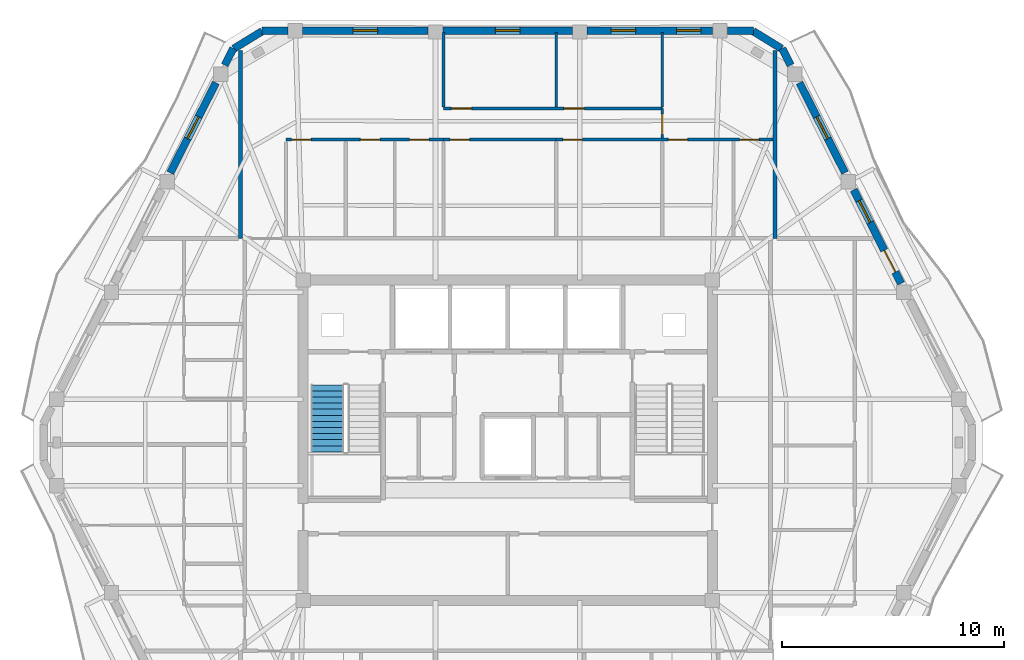
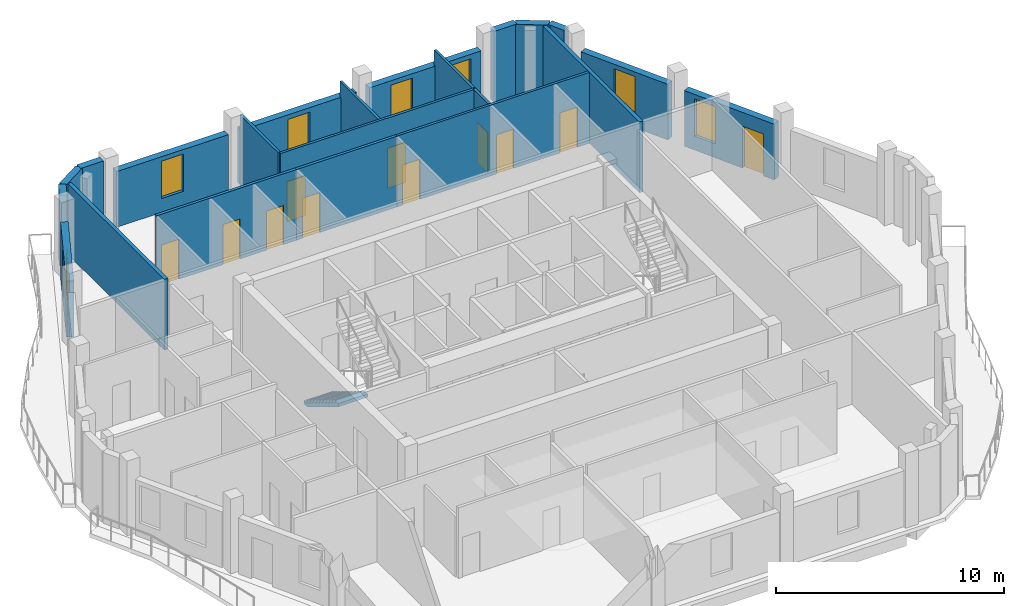
# One storey, part 7 of 11: 22 walls, 11 doors, 7 windows, 1 stair flight, 18 openings, 1 element without a shape of its own.
"""IFC4 building model written with IfcOpenShell, lengths in metres."""

import ifcopenshell
import ifcopenshell.guid

model = None  # the IFC model being written
_history = None  # IfcOwnerHistory: only IFC2X3 demands one
_inside = {}  # id of a spatial element -> (the spatial element, [elements in it])
_under = {}  # id of a project, library or spatial element -> (it, [spatial elements below it])
_declared = {}  # id of a project -> (the project, [libraries it declares])
_typed = {}  # id of a type object -> (the type object, [elements of that type])
_made_of = {}  # id of a material, layer set ... -> (it, [elements and type objects made of it])


def new_model(schema):
    """Start an empty IFC model of exactly this schema.

    Asked for "IFC4X3", IfcOpenShell would pick the latest addendum, in which some entities
    have other attributes; the version numbers below select the first issue.
    IFC2X3 requires an IfcOwnerHistory on every rooted entity: one is made here for all.
    """
    global model, _history
    if schema == "IFC4X3":
        model = ifcopenshell.file(schema_version=(4, 3, 0, 0))
    else:
        model = ifcopenshell.file(schema=schema)
    _inside.clear()
    _under.clear()
    _declared.clear()
    _typed.clear()
    _made_of.clear()
    _history = None
    if model.schema == "IFC2X3":
        org = make("IfcOrganization", Name="unknown")
        user = make(
            "IfcPersonAndOrganization",
            ThePerson=make("IfcPerson", FamilyName="unknown"),
            TheOrganization=org,
        )
        app = make(
            "IfcApplication",
            ApplicationDeveloper=org,
            Version="unknown",
            ApplicationFullName="unknown",
            ApplicationIdentifier="unknown",
        )
        _history = make(
            "IfcOwnerHistory",
            OwningUser=user,
            OwningApplication=app,
            ChangeAction="ADDED",
            CreationDate=0,
        )
    return model


def make(cls, **values):
    """One entity of the class cls with the attributes given. An attribute that is None is left unset."""
    return model.create_entity(
        cls, **{name: value for name, value in values.items() if value is not None}
    )


def rooted(cls, **values):
    """An entity with a GlobalId (a new one), such as an element, a storey or a relation."""
    return make(cls, GlobalId=ifcopenshell.guid.new(), OwnerHistory=_history, **values)


def si_unit(unit_type, name, prefix=None):
    """IfcSIUnit, for example si_unit("LENGTHUNIT", "METRE", prefix="MILLI")."""
    return make("IfcSIUnit", UnitType=unit_type, Prefix=prefix, Name=name)


def assignment(units):
    """IfcUnitAssignment: the units of a project."""
    return None if units is None else make("IfcUnitAssignment", Units=units)


def point(xyz):
    """IfcCartesianPoint."""
    return None if xyz is None else make("IfcCartesianPoint", Coordinates=xyz)


def direction(xyz):
    """IfcDirection."""
    return None if xyz is None else make("IfcDirection", DirectionRatios=xyz)


def frame(location, z_axis=None, x_axis=None):
    """IfcAxis2Placement3D, a coordinate frame: its origin and axes. An axis left out is left unset."""
    return make(
        "IfcAxis2Placement3D",
        Location=point(location),
        Axis=direction(z_axis),
        RefDirection=direction(x_axis),
    )


def frame_2d(location, x_axis=None):
    """IfcAxis2Placement2D, a coordinate frame in the plane: its origin and x axis."""
    return make(
        "IfcAxis2Placement2D", Location=point(location), RefDirection=direction(x_axis)
    )


def origin():
    """The frame at (0, 0, 0) with its axes left unset."""
    return frame((0.0, 0.0, 0.0))


def place(relative_to, where):
    """IfcLocalPlacement: puts the frame where relative to a parent placement (None: the world)."""
    return make(
        "IfcLocalPlacement", PlacementRelTo=relative_to, RelativePlacement=where
    )


def context(
    kind, dimensions, precision=None, world=None, true_north=None, identifier=None
):
    """IfcGeometricRepresentationContext, for example the 3D "Model" context."""
    return make(
        "IfcGeometricRepresentationContext",
        ContextIdentifier=identifier,
        ContextType=kind,
        CoordinateSpaceDimension=dimensions,
        Precision=precision,
        WorldCoordinateSystem=world,
        TrueNorth=true_north,
    )


def subcontext(parent, identifier, kind, view, scale=None):
    """IfcGeometricRepresentationSubContext, for example "Body" below "Model"."""
    return make(
        "IfcGeometricRepresentationSubContext",
        ContextIdentifier=identifier,
        ContextType=kind,
        ParentContext=parent,
        TargetScale=scale,
        TargetView=view,
    )


def project(units=None, contexts=None):
    """IfcProject with its units and contexts."""
    return rooted(
        "IfcProject",
        Name="project",
        RepresentationContexts=contexts,
        UnitsInContext=assignment(units),
    )


def spatial(cls, under=None, at=None, **own):
    """A site, building, storey or space (cls), placed at a placement, below another one or the project."""
    s = rooted(cls, ObjectPlacement=at, **own)
    if under is not None:
        _under.setdefault(under.id(), (under, []))[1].append(s)
    return s


def polyline(points):
    """IfcPolyline through the points."""
    return make("IfcPolyline", Points=[point(p) for p in points])


def profile(cls, at=None, kind="AREA", **sizes):
    """A parametric profile (cls). Its sizes go by their IFC names, for example OverallWidth=200.0."""
    return make(cls, ProfileType=kind, Position=at, **sizes)


def rectangle(**sizes):
    """IfcRectangleProfileDef."""
    return profile("IfcRectangleProfileDef", **sizes)


def outline(outer, holes=None, kind="AREA"):
    """IfcArbitraryClosedProfileDef: a profile drawn as a closed curve; with holes, ...WithVoids."""
    if holes is None:
        return make("IfcArbitraryClosedProfileDef", ProfileType=kind, OuterCurve=outer)
    return make(
        "IfcArbitraryProfileDefWithVoids",
        ProfileType=kind,
        OuterCurve=outer,
        InnerCurves=holes,
    )


def extrude(swept, where, along, depth):
    """IfcExtrudedAreaSolid: the profile swept, set in the frame where, extruded along a direction by depth."""
    return make(
        "IfcExtrudedAreaSolid",
        SweptArea=swept,
        Position=where,
        ExtrudedDirection=direction(along),
        Depth=depth,
    )


def shape(context_of_items, identifier, shape_type, items):
    """IfcShapeRepresentation: the items that make up one representation, for example the "Body"."""
    return make(
        "IfcShapeRepresentation",
        ContextOfItems=context_of_items,
        RepresentationIdentifier=identifier,
        RepresentationType=shape_type,
        Items=items,
    )


def material(Name=None, Category=None):
    """IfcMaterial."""
    return make("IfcMaterial", Name=Name, Category=Category)


def layer(
    of_material, thickness, ventilated=None, Name=None, Category=None, Priority=None
):
    """IfcMaterialLayer: one layer of a wall or slab, of a material (None: an air gap)."""
    return make(
        "IfcMaterialLayer",
        Material=of_material,
        LayerThickness=thickness,
        IsVentilated=ventilated,
        Name=Name,
        Category=Category,
        Priority=Priority,
    )


def layer_set(layers, Name=None):
    """IfcMaterialLayerSet."""
    return make("IfcMaterialLayerSet", MaterialLayers=layers, LayerSetName=Name)


def made_of(thing, what):
    """Note that an element or type object is made of a material, layer set ...; save() writes the relation."""
    if what is not None:
        _made_of.setdefault(what.id(), (what, []))[1].append(thing)
    return thing


def type_object(cls, material=None, **own):
    """A type object (cls), such as IfcWallType, which elements share."""
    return made_of(rooted(cls, **own), material)


def element(
    cls,
    number,
    at=None,
    inside=None,
    cuts=None,
    type_object=None,
    material=None,
    context=None,
    identifier="Body",
    shape_type=None,
    held_by="IfcProductDefinitionShape",
    body=None,
    shapes=None,
    **own,
):
    """One element of the class cls, such as IfcWall. Its Tag is "e" and its number.

    at: its placement. inside: the storey or other place that contains it. cuts: it is an
    opening in that element (IfcRelVoidsElement). A single representation is given by context,
    identifier, shape_type and body (its items); several are given by shapes. held_by: the class
    of the entity that holds the representations. save() writes the other relations.
    """
    e = rooted(cls, Tag="e%d" % number, ObjectPlacement=at, **own)
    if body is not None:
        shapes = [shape(context, identifier, shape_type, body)]
    if shapes is not None:
        e.Representation = make(held_by, Representations=shapes)
    if inside is not None:
        _inside.setdefault(inside.id(), (inside, []))[1].append(e)
    if cuts is not None:
        rooted(
            "IfcRelVoidsElement", RelatingBuildingElement=cuts, RelatedOpeningElement=e
        )
    if type_object is not None:
        _typed.setdefault(type_object.id(), (type_object, []))[1].append(e)
    return made_of(e, material)


def fill(opening, filler):
    """IfcRelFillsElement: the door or window that sits in an opening."""
    return rooted(
        "IfcRelFillsElement",
        RelatingOpeningElement=opening,
        RelatedBuildingElement=filler,
    )


def aggregate(whole, parts):
    """IfcRelAggregates: a whole, such as a stair, and the parts it consists of."""
    return rooted("IfcRelAggregates", RelatingObject=whole, RelatedObjects=parts)


def save(model, path):
    """Write the relations noted so far, then the file.

    IfcRelAggregates (storeys below a building ...), IfcRelContainedInSpatialStructure (elements
    in a storey), IfcRelDefinesByType, IfcRelAssociatesMaterial and IfcRelDeclares: one each for
    every whole, place, type object, material and project.
    """
    for whole, parts in _under.values():
        aggregate(whole, parts)
    for where, things in _inside.values():
        rooted(
            "IfcRelContainedInSpatialStructure",
            RelatedElements=things,
            RelatingStructure=where,
        )
    for kind, things in _typed.values():
        rooted("IfcRelDefinesByType", RelatedObjects=things, RelatingType=kind)
    for what, things in _made_of.values():
        rooted("IfcRelAssociatesMaterial", RelatedObjects=things, RelatingMaterial=what)
    for by, libraries in _declared.values():
        rooted("IfcRelDeclares", RelatingContext=by, RelatedDefinitions=libraries)
    model.write(path)


model = new_model("IFC4")

# Units and contexts
model_context = context("Model", 3, precision=1e-05, world=origin(), true_north=direction((0.0, 1.0)))
body_context = subcontext(model_context, "Body", "Model", "MODEL_VIEW")
ifc_project = project(units=[si_unit("LENGTHUNIT", "METRE"), si_unit("AREAUNIT", "SQUARE_METRE"), si_unit("VOLUMEUNIT", "CUBIC_METRE"), si_unit("PLANEANGLEUNIT", "RADIAN"), si_unit("MASSUNIT", "GRAM", prefix="KILO")], contexts=[model_context])

# Site, building, storey
site_placement = place(None, origin())
site = spatial("IfcSite", under=ifc_project, at=site_placement, CompositionType="ELEMENT")
building_placement = place(site_placement, origin())
building = spatial("IfcBuilding", under=site, at=building_placement, Name="Cinnabar Lancet Tower", CompositionType="ELEMENT")
storey_placement = place(building_placement, frame((0.0, 0.0, 283.5)))
storey = spatial("IfcBuildingStorey", under=building, at=storey_placement, Name="L75", CompositionType="ELEMENT", Elevation=283.5)

# Walls
ifc_material_1 = material(Name="Fire-rated twin-frame acoustic drywall", Category="gypsum")
ifc_layer_1 = layer(ifc_material_1, 0.179931640625)
ifc_layer_set_1 = layer_set([ifc_layer_1], Name="Fire-rated twin-frame acoustic drywall")
wall_type_1 = type_object("IfcWallType", Name="ARC-WL-PARTY-180", PredefinedType="PARTITIONING", material=ifc_layer_set_1)
for number, where, z_axis, x_axis, name in (
    (1, (20.35009765625, 35.0, 0.0), (0.0, 0.0, 1.0), (0.0, 1.0, 0.0), "PW-L75-NPTY-204"),
    (2, (44.449951171875, 35.0, 0.0), (0.0, 0.0, 1.0), (0.0, 1.0, 0.0), "PW-L75-NPTY-444"),
):
    element("IfcWall", number, at=place(storey_placement, frame(where, z_axis=z_axis, x_axis=x_axis)), inside=storey, type_object=wall_type_1, Name=name, PredefinedType="PARTITIONING", context=body_context, shape_type="SweptSolid", body=[
        extrude(rectangle(XDim=8.48095703125, YDim=0.179931640625, at=frame_2d((4.240478515625, 0.0))), origin(), (0.0, 0.0, 1.0), 3.800048828125),
    ])

# Wall, openings, doors
ifc_material_2 = material(Name="Gypsum plasterboard stud partition", Category="gypsum")
ifc_layer_2 = layer(ifc_material_2, 0.125)
ifc_layer_set_2 = layer_set([ifc_layer_2], Name="Gypsum plasterboard stud partition")
wall_type_2 = type_object("IfcWallType", Name="ARC-WL-UNIT-125", PredefinedType="PARTITIONING", material=ifc_layer_set_2)
wall_1_placement = place(storey_placement, frame((34.587890625, 39.4580078125, 0.0), z_axis=(0.0, 0.0, 1.0), x_axis=(1.0, 0.0, 0.0)))
wall_1 = element("IfcWall", 3, at=wall_1_placement, inside=storey, type_object=wall_type_2, Name="UW-L75-N01-SP2", PredefinedType="PARTITIONING", context=body_context, shape_type="SweptSolid", body=[
    extrude(rectangle(XDim=9.76708984375, YDim=0.125, at=frame_2d((4.883544921875, 0.0))), origin(), (0.0, 0.0, 1.0), 3.800048828125),
])
opening_1_placement = place(wall_1_placement, frame((5.06201171875, 0.0, 0.0)))
opening_1 = element("IfcOpeningElement", 4, at=opening_1_placement, cuts=wall_1, Name="Opening BD-01", PredefinedType="OPENING", context=body_context, shape_type="SweptSolid", body=[
    extrude(rectangle(XDim=0.860107421875, YDim=2.10009765625, at=frame_2d((0.43017578125, 1.050048828125))), frame((0.0, 0.072509765625, 0.0), z_axis=(0.0, -1.0, 0.0), x_axis=(1.0, 0.0, 0.0)), (0.0, 0.0, 1.0), 0.14501953125),
])
opening_2_placement = place(wall_1_placement, frame((8.27294921875, 0.0, 0.0)))
opening_2 = element("IfcOpeningElement", 5, at=opening_2_placement, cuts=wall_1, Name="Opening RD-02", PredefinedType="OPENING", context=body_context, shape_type="SweptSolid", body=[
    extrude(rectangle(XDim=0.8798828125, YDim=2.14990234375, at=frame_2d((0.43994140625, 1.074951171875))), frame((0.0, 0.072509765625, 0.0), z_axis=(0.0, -1.0, 0.0), x_axis=(1.0, 0.0, 0.0)), (0.0, 0.0, 1.0), 0.14501953125),
])
opening_3_placement = place(wall_1_placement, frame((0.300048828125, 0.0, 0.0)))
opening_3 = element("IfcOpeningElement", 6, at=opening_3_placement, cuts=wall_1, Name="Opening RD-02", PredefinedType="OPENING", context=body_context, shape_type="SweptSolid", body=[
    extrude(rectangle(XDim=0.8798828125, YDim=2.14990234375, at=frame_2d((0.43994140625, 1.074951171875))), frame((0.0, 0.072509765625, 0.0), z_axis=(0.0, -1.0, 0.0), x_axis=(1.0, 0.0, 0.0)), (0.0, 0.0, 1.0), 0.14501953125),
])
ifc_material_3 = material(Name="Moisture-resistant timber bathroom door", Category="wood")
door_type_1 = type_object("IfcDoorType", Name="ARC-DR-BATH", OperationType="NOTDEFINED", PredefinedType="DOOR", material=ifc_material_3)
door_1_placement = place(opening_1_placement, origin())
door_1 = element("IfcDoor", 7, at=door_1_placement, inside=storey, type_object=door_type_1, Name="DR-L75-N01-ENS", OperationType="SINGLE_SWING_LEFT", OverallHeight=2.10009765625, OverallWidth=0.860107421875, PredefinedType="DOOR", context=body_context, shape_type="SweptSolid", body=[
    extrude(rectangle(XDim=0.860107421875, YDim=2.10009765625, at=frame_2d((0.43017578125, 1.050048828125))), frame((0.0, 0.02490234375, 0.0), z_axis=(0.0, -1.0, 0.0), x_axis=(1.0, 0.0, 0.0)), (0.0, 0.0, 1.0), 0.050048828125),
])
fill(opening_1, door_1)
ifc_material_4 = material(Name="Engineered timber study door", Category="wood")
door_type_2 = type_object("IfcDoorType", Name="ARC-DR-STUDY", OperationType="NOTDEFINED", PredefinedType="DOOR", material=ifc_material_4)
door_2_placement = place(opening_2_placement, origin())
door_2 = element("IfcDoor", 8, at=door_2_placement, inside=storey, type_object=door_type_2, Name="DR-L75-N01-ENS-WDR", OperationType="SINGLE_SWING_RIGHT", OverallHeight=2.14990234375, OverallWidth=0.8798828125, PredefinedType="DOOR", context=body_context, shape_type="SweptSolid", body=[
    extrude(rectangle(XDim=0.8798828125, YDim=2.14990234375, at=frame_2d((0.43994140625, 1.074951171875))), frame((0.0, 0.02490234375, 0.0), z_axis=(0.0, -1.0, 0.0), x_axis=(1.0, 0.0, 0.0)), (0.0, 0.0, 1.0), 0.050048828125),
])
fill(opening_2, door_2)
door_3_placement = place(opening_3_placement, origin())
door_3 = element("IfcDoor", 9, at=door_3_placement, inside=storey, type_object=door_type_2, Name="DR-L75-N01-DRS", OperationType="SINGLE_SWING_RIGHT", OverallHeight=2.14990234375, OverallWidth=0.8798828125, PredefinedType="DOOR", context=body_context, shape_type="SweptSolid", body=[
    extrude(rectangle(XDim=0.8798828125, YDim=2.14990234375, at=frame_2d((0.43994140625, 1.074951171875))), frame((0.0, 0.02490234375, 0.0), z_axis=(0.0, -1.0, 0.0), x_axis=(1.0, 0.0, 0.0)), (0.0, 0.0, 1.0), 0.050048828125),
])
fill(opening_3, door_3)

# Wall
wall_2_placement = place(storey_placement, frame((29.508056640625, 40.923095703125, 0.0), z_axis=(0.0, 0.0, 1.0), x_axis=(0.0, 1.0, 0.0)))
element("IfcWall", 10, at=wall_2_placement, inside=storey, type_object=wall_type_2, Name="UW-L75-N01-BD2W", PredefinedType="PARTITIONING", context=body_context, shape_type="SweptSolid", body=[
    extrude(rectangle(XDim=3.36181640625, YDim=0.125, at=frame_2d((1.680908203125, 0.0))), origin(), (0.0, 0.0, 1.0), 3.800048828125),
])

# Wall, openings, doors
wall_3_placement = place(storey_placement, frame((29.508056640625, 40.85791015625, 0.0), z_axis=(0.0, 0.0, 1.0), x_axis=(1.0, 0.0, 0.0)))
wall_3 = element("IfcWall", 11, at=wall_3_placement, inside=storey, type_object=wall_type_2, Name="UW-L75-N01-HLN", PredefinedType="PARTITIONING", context=body_context, shape_type="SweptSolid", body=[
    extrude(rectangle(XDim=9.862060546875, YDim=0.125, at=frame_2d((4.93115234375, 0.0))), origin(), (0.0, 0.0, 1.0), 3.800048828125),
])
opening_4_placement = place(wall_3_placement, frame((0.35009765625, 0.0, 0.0)))
opening_4 = element("IfcOpeningElement", 12, at=opening_4_placement, cuts=wall_3, Name="Opening RD-01", PredefinedType="OPENING", context=body_context, shape_type="SweptSolid", body=[
    extrude(rectangle(XDim=0.919921875, YDim=2.14990234375, at=frame_2d((0.4599609375, 1.074951171875))), frame((0.0, 0.072509765625, 0.0), z_axis=(0.0, -1.0, 0.0), x_axis=(1.0, 0.0, 0.0)), (0.0, 0.0, 1.0), 0.14501953125),
])
opening_5_placement = place(wall_3_placement, frame((5.429931640625, 0.0, 0.0)))
opening_5 = element("IfcOpeningElement", 13, at=opening_5_placement, cuts=wall_3, Name="Opening RD-01", PredefinedType="OPENING", context=body_context, shape_type="SweptSolid", body=[
    extrude(rectangle(XDim=0.919921875, YDim=2.14990234375, at=frame_2d((0.4599609375, 1.074951171875))), frame((0.0, 0.072509765625, 0.0), z_axis=(0.0, -1.0, 0.0), x_axis=(1.0, 0.0, 0.0)), (0.0, 0.0, 1.0), 0.14501953125),
])
ifc_material_5 = material(Name="Engineered timber bedroom door", Category="wood")
door_type_3 = type_object("IfcDoorType", Name="ARC-DR-ROOM", OperationType="NOTDEFINED", PredefinedType="DOOR", material=ifc_material_5)
door_4_placement = place(opening_4_placement, origin())
door_4 = element("IfcDoor", 14, at=door_4_placement, inside=storey, type_object=door_type_3, Name="DR-L75-N01-BD2", OperationType="SINGLE_SWING_LEFT", OverallHeight=2.14990234375, OverallWidth=0.919921875, PredefinedType="DOOR", context=body_context, shape_type="SweptSolid", body=[
    extrude(rectangle(XDim=0.919921875, YDim=2.14990234375, at=frame_2d((0.4599609375, 1.074951171875))), frame((0.0, 0.02490234375, 0.0), z_axis=(0.0, -1.0, 0.0), x_axis=(1.0, 0.0, 0.0)), (0.0, 0.0, 1.0), 0.050048828125),
])
fill(opening_4, door_4)
door_5_placement = place(opening_5_placement, origin())
door_5 = element("IfcDoor", 15, at=door_5_placement, inside=storey, type_object=door_type_3, Name="DR-L75-N01-BD3", OperationType="SINGLE_SWING_RIGHT", OverallHeight=2.14990234375, OverallWidth=0.919921875, PredefinedType="DOOR", context=body_context, shape_type="SweptSolid", body=[
    extrude(rectangle(XDim=0.919921875, YDim=2.14990234375, at=frame_2d((0.4599609375, 1.074951171875))), frame((0.0, 0.02490234375, 0.0), z_axis=(0.0, -1.0, 0.0), x_axis=(1.0, 0.0, 0.0)), (0.0, 0.0, 1.0), 0.050048828125),
])
fill(opening_5, door_5)

# Wall, opening, door
wall_4_placement = place(storey_placement, frame((39.3701171875, 39.528076171875, 0.0), z_axis=(0.0, 0.0, 1.0), x_axis=(0.0, 1.0, 0.0)))
wall_4 = element("IfcWall", 16, at=wall_4_placement, inside=storey, type_object=wall_type_2, Name="UW-L75-N01-MBE", PredefinedType="PARTITIONING", context=body_context, shape_type="SweptSolid", body=[
    extrude(rectangle(XDim=1.329833984375, YDim=0.125, at=frame_2d((0.6650390625, 0.0))), origin(), (0.0, 0.0, 1.0), 3.800048828125),
])
opening_6_placement = place(wall_4_placement, frame((0.159912109375, 0.0, 0.0)))
opening_6 = element("IfcOpeningElement", 17, at=opening_6_placement, cuts=wall_4, Name="Opening RD-01", PredefinedType="OPENING", context=body_context, shape_type="SweptSolid", body=[
    extrude(rectangle(XDim=0.919921875, YDim=2.14990234375, at=frame_2d((0.4599609375, 1.074951171875))), frame((0.0, 0.072509765625, 0.0), z_axis=(0.0, -1.0, 0.0), x_axis=(1.0, 0.0, 0.0)), (0.0, 0.0, 1.0), 0.14501953125),
])
door_6_placement = place(opening_6_placement, origin())
door_6 = element("IfcDoor", 18, at=door_6_placement, inside=storey, type_object=door_type_3, Name="DR-L75-N01-MBD", OperationType="SINGLE_SWING_LEFT", OverallHeight=2.14990234375, OverallWidth=0.919921875, PredefinedType="DOOR", context=body_context, shape_type="SweptSolid", body=[
    extrude(rectangle(XDim=0.919921875, YDim=2.14990234375, at=frame_2d((0.4599609375, 1.074951171875))), frame((0.0, 0.02490234375, 0.0), z_axis=(0.0, -1.0, 0.0), x_axis=(1.0, 0.0, 0.0)), (0.0, 0.0, 1.0), 0.050048828125),
])
fill(opening_6, door_6)

# Walls
for number, where, z_axis, x_axis, name in (
    (19, (34.587890625, 40.923095703125, 0.0), (0.0, 0.0, 1.0), (0.0, 1.0, 0.0), "UW-L75-N01-MB2W"),
    (20, (39.3701171875, 40.923095703125, 0.0), (0.0, 0.0, 1.0), (0.0, 1.0, 0.0), "UW-L75-N01-B23W"),
):
    element("IfcWall", number, at=place(storey_placement, frame(where, z_axis=z_axis, x_axis=x_axis)), inside=storey, type_object=wall_type_2, Name=name, PredefinedType="PARTITIONING", context=body_context, shape_type="SweptSolid", body=[
        extrude(rectangle(XDim=3.36181640625, YDim=0.125, at=frame_2d((1.680908203125, 0.0))), origin(), (0.0, 0.0, 1.0), 3.800048828125),
    ])

# Wall, openings, doors
ifc_material_6 = material(Name="Moisture-resistant cement-board plumbing wall", Category="masonry")
ifc_layer_3 = layer(ifc_material_6, 0.139892578125)
ifc_layer_set_3 = layer_set([ifc_layer_3], Name="Moisture-resistant cement-board plumbing wall")
wall_type_3 = type_object("IfcWallType", Name="ARC-WL-WET-140", PredefinedType="PLUMBINGWALL", material=ifc_layer_set_3)
wall_5_placement = place(storey_placement, frame((22.39990234375, 39.4580078125, 0.0), z_axis=(0.0, 0.0, 1.0), x_axis=(1.0, 0.0, 0.0)))
wall_5 = element("IfcWall", 21, at=wall_5_placement, inside=storey, type_object=wall_type_3, Name="UW-L75-N01-SPL", PredefinedType="PLUMBINGWALL", context=body_context, shape_type="SweptSolid", body=[
    extrude(rectangle(XDim=7.108154296875, YDim=0.139892578125, at=frame_2d((3.55419921875, 0.0))), origin(), (0.0, 0.0, 1.0), 3.800048828125),
])
opening_7_placement = place(wall_5_placement, frame((5.58203125, 0.0, 0.0)))
opening_7 = element("IfcOpeningElement", 22, at=opening_7_placement, cuts=wall_5, Name="Opening BD-01", PredefinedType="OPENING", context=body_context, shape_type="SweptSolid", body=[
    extrude(rectangle(XDim=0.860107421875, YDim=2.10009765625, at=frame_2d((0.43017578125, 1.050048828125))), frame((0.0, 0.079833984375, 0.0), z_axis=(0.0, -1.0, 0.0), x_axis=(1.0, 0.0, 0.0)), (0.0, 0.0, 1.0), 0.159912109375),
])
opening_8_placement = place(wall_5_placement, frame((0.260009765625, 0.0, 0.0)))
opening_8 = element("IfcOpeningElement", 23, at=opening_8_placement, cuts=wall_5, Name="Opening RD-02", PredefinedType="OPENING", context=body_context, shape_type="SweptSolid", body=[
    extrude(rectangle(XDim=0.8798828125, YDim=2.14990234375, at=frame_2d((0.43994140625, 1.074951171875))), frame((0.0, 0.079833984375, 0.0), z_axis=(0.0, -1.0, 0.0), x_axis=(1.0, 0.0, 0.0)), (0.0, 0.0, 1.0), 0.159912109375),
])
opening_9_placement = place(wall_5_placement, frame((3.363037109375, 0.0, 0.0)))
opening_9 = element("IfcOpeningElement", 24, at=opening_9_placement, cuts=wall_5, Name="Opening RD-02", PredefinedType="OPENING", context=body_context, shape_type="SweptSolid", body=[
    extrude(rectangle(XDim=0.8798828125, YDim=2.14990234375, at=frame_2d((0.43994140625, 1.074951171875))), frame((0.0, 0.079833984375, 0.0), z_axis=(0.0, -1.0, 0.0), x_axis=(1.0, 0.0, 0.0)), (0.0, 0.0, 1.0), 0.159912109375),
])
door_7_placement = place(opening_7_placement, origin())
door_7 = element("IfcDoor", 25, at=door_7_placement, inside=storey, type_object=door_type_1, Name="DR-L75-N01-BTH", OperationType="SINGLE_SWING_LEFT", OverallHeight=2.10009765625, OverallWidth=0.860107421875, PredefinedType="DOOR", context=body_context, shape_type="SweptSolid", body=[
    extrude(rectangle(XDim=0.860107421875, YDim=2.10009765625, at=frame_2d((0.43017578125, 1.050048828125))), frame((0.0, 0.02490234375, 0.0), z_axis=(0.0, -1.0, 0.0), x_axis=(1.0, 0.0, 0.0)), (0.0, 0.0, 1.0), 0.050048828125),
])
fill(opening_7, door_7)
door_8_placement = place(opening_8_placement, origin())
door_8 = element("IfcDoor", 26, at=door_8_placement, inside=storey, type_object=door_type_2, Name="DR-L75-N01-KIT", OperationType="SINGLE_SWING_LEFT", OverallHeight=2.14990234375, OverallWidth=0.8798828125, PredefinedType="DOOR", context=body_context, shape_type="SweptSolid", body=[
    extrude(rectangle(XDim=0.8798828125, YDim=2.14990234375, at=frame_2d((0.43994140625, 1.074951171875))), frame((0.0, 0.02490234375, 0.0), z_axis=(0.0, -1.0, 0.0), x_axis=(1.0, 0.0, 0.0)), (0.0, 0.0, 1.0), 0.050048828125),
])
fill(opening_8, door_8)
door_9_placement = place(opening_9_placement, origin())
door_9 = element("IfcDoor", 27, at=door_9_placement, inside=storey, type_object=door_type_2, Name="DR-L75-N01-STD", OperationType="SINGLE_SWING_RIGHT", OverallHeight=2.14990234375, OverallWidth=0.8798828125, PredefinedType="DOOR", context=body_context, shape_type="SweptSolid", body=[
    extrude(rectangle(XDim=0.8798828125, YDim=2.14990234375, at=frame_2d((0.43994140625, 1.074951171875))), frame((0.0, 0.02490234375, 0.0), z_axis=(0.0, -1.0, 0.0), x_axis=(1.0, 0.0, 0.0)), (0.0, 0.0, 1.0), 0.050048828125),
])
fill(opening_9, door_9)

# Wall, opening, door
wall_6_placement = place(storey_placement, frame((29.508056640625, 39.4580078125, 0.0), z_axis=(0.0, 0.0, 1.0), x_axis=(1.0, 0.0, 0.0)))
wall_6 = element("IfcWall", 28, at=wall_6_placement, inside=storey, type_object=wall_type_3, Name="UW-L75-N01-SPM", PredefinedType="PLUMBINGWALL", context=body_context, shape_type="SweptSolid", body=[
    extrude(rectangle(XDim=5.079833984375, YDim=0.139892578125, at=frame_2d((2.5400390625, 0.0))), origin(), (0.0, 0.0, 1.0), 3.800048828125),
])
opening_10_placement = place(wall_6_placement, frame((0.300048828125, 0.0, 0.0)))
opening_10 = element("IfcOpeningElement", 29, at=opening_10_placement, cuts=wall_6, Name="Opening RD-02", PredefinedType="OPENING", context=body_context, shape_type="SweptSolid", body=[
    extrude(rectangle(XDim=0.8798828125, YDim=2.14990234375, at=frame_2d((0.43994140625, 1.074951171875))), frame((0.0, 0.079833984375, 0.0), z_axis=(0.0, -1.0, 0.0), x_axis=(1.0, 0.0, 0.0)), (0.0, 0.0, 1.0), 0.159912109375),
])
door_10_placement = place(opening_10_placement, origin())
door_10 = element("IfcDoor", 30, at=door_10_placement, inside=storey, type_object=door_type_2, Name="DR-L75-N01-UTL", OperationType="SINGLE_SWING_RIGHT", OverallHeight=2.14990234375, OverallWidth=0.8798828125, PredefinedType="DOOR", context=body_context, shape_type="SweptSolid", body=[
    extrude(rectangle(XDim=0.8798828125, YDim=2.14990234375, at=frame_2d((0.43994140625, 1.074951171875))), frame((0.0, 0.02490234375, 0.0), z_axis=(0.0, -1.0, 0.0), x_axis=(1.0, 0.0, 0.0)), (0.0, 0.0, 1.0), 0.050048828125),
])
fill(opening_10, door_10)

# Walls
ifc_material_7 = material(Name="Cinnabar red clay brick", Category="masonry")
ifc_layer_4 = layer(ifc_material_7, 0.340087890625)
ifc_layer_set_4 = layer_set([ifc_layer_4], Name="Cinnabar red clay brick")
wall_type_4 = type_object("IfcWallType", Name="ENV-WL-BRK-RED-340", PredefinedType="STANDARD", material=ifc_layer_set_4)
for number, where, z_axis, x_axis, name in (
    (31, (44.7529296875, 43.554931640625, 0.0), (0.0, 0.0, 1.0), (-0.851680557619, 0.52406128246, 0.0), "L75 Chamfered Corner Brick Pier 4.1"),
    (32, (21.3310546875, 44.344970703125, 0.0), (0.0, 0.0, 1.0), (-0.851680557619, -0.52406128246, 0.0), "L75 Chamfered Corner Brick Pier 5.1"),
):
    element("IfcWall", number, at=place(storey_placement, frame(where, z_axis=z_axis, x_axis=x_axis)), inside=storey, type_object=wall_type_4, Name=name, PredefinedType="STANDARD", context=body_context, shape_type="SweptSolid", body=[
        extrude(rectangle(XDim=1.507568359375, YDim=0.340087890625, at=frame_2d((0.75390625, 0.0))), origin(), (0.0, 0.0, 1.0), 3.800048828125),
    ])

# Wall, openings, door, window
wall_7_placement = place(storey_placement, frame((50.134033203125, 32.972900390625, 0.0), z_axis=(0.0, 0.0, 1.0), x_axis=(-0.451447516904, 0.892297674255, 0.0)))
wall_7 = element("IfcWall", 33, at=wall_7_placement, inside=storey, type_object=wall_type_4, Name="L75 Face 3 Masonry Bay Wall 3", PredefinedType="STANDARD", context=body_context, shape_type="SweptSolid", body=[
    extrude(rectangle(XDim=4.72265625, YDim=0.340087890625, at=frame_2d((2.361328125, 0.0))), origin(), (0.0, 0.0, 1.0), 2.989990234375),
])
opening_11_placement = place(wall_7_placement, frame((0.570068359375, 0.0, 0.0)))
opening_11 = element("IfcOpeningElement", 34, at=opening_11_placement, cuts=wall_7, Name="Opening TD-01", PredefinedType="OPENING", context=body_context, shape_type="SweptSolid", body=[
    extrude(rectangle(XDim=1.10009765625, YDim=2.25, at=frame_2d((0.550048828125, 1.125))), frame((0.0, 0.179931640625, 0.0), z_axis=(0.0, -1.0, 0.0), x_axis=(1.0, 0.0, 0.0)), (0.0, 0.0, 1.0), 0.360107421875),
])
opening_12_placement = place(wall_7_placement, frame((3.076904296875, 0.0, 0.75)))
opening_12 = element("IfcOpeningElement", 35, at=opening_12_placement, cuts=wall_7, Name="Opening WN-04", PredefinedType="OPENING", context=body_context, shape_type="SweptSolid", body=[
    extrude(rectangle(XDim=1.10009765625, YDim=2.0, at=frame_2d((0.550048828125, 1.0))), frame((0.0, 0.179931640625, 0.0), z_axis=(0.0, -1.0, 0.0), x_axis=(1.0, 0.0, 0.0)), (0.0, 0.0, 1.0), 0.360107421875),
])
ifc_material_8 = material(Name="Thermally broken low-E glazed balcony terrace door", Category="wood")
door_type_4 = type_object("IfcDoorType", Name="ARC-DR-BALC", OperationType="NOTDEFINED", PredefinedType="DOOR", material=ifc_material_8)
door_11_placement = place(opening_11_placement, origin())
door_11 = element("IfcDoor", 36, at=door_11_placement, inside=storey, type_object=door_type_4, Name="L75 Face 3 Glazed Terrace Door", OperationType="SINGLE_SWING_RIGHT", OverallHeight=2.25, OverallWidth=1.10009765625, PredefinedType="DOOR", context=body_context, shape_type="SweptSolid", body=[
    extrude(rectangle(XDim=1.10009765625, YDim=2.25, at=frame_2d((0.550048828125, 1.125))), frame((0.0, 0.02490234375, 0.0), z_axis=(0.0, -1.0, 0.0), x_axis=(1.0, 0.0, 0.0)), (0.0, 0.0, 1.0), 0.050048828125),
])
fill(opening_11, door_11)
ifc_material_9 = material(Name="Thermally broken bronze-anodized aluminium tall lancet window", Category="aluminium")
window_type = type_object("IfcWindowType", Name="ENV-WN-LANCET-1100", PartitioningType="SINGLE_PANEL", PredefinedType="WINDOW", material=ifc_material_9)
window_1_placement = place(opening_12_placement, origin())
window_1 = element("IfcWindow", 37, at=window_1_placement, inside=storey, type_object=window_type, Name="L75 Split-Bay Gothic Lancet Window 278", OverallHeight=2.0, OverallWidth=1.10009765625, PartitioningType="SINGLE_PANEL", PredefinedType="WINDOW", context=body_context, shape_type="SweptSolid", body=[
    extrude(rectangle(XDim=1.10009765625, YDim=2.0, at=frame_2d((0.550048828125, 1.0))), frame((0.0, 0.030029296875, 0.0), z_axis=(0.0, -1.0, 0.0), x_axis=(1.0, 0.0, 0.0)), (0.0, 0.0, 1.0), 0.06005859375),
])
fill(opening_12, window_1)

# Wall, opening, window
wall_8_placement = place(storey_placement, frame((47.612060546875, 37.9599609375, 0.0), z_axis=(0.0, 0.0, 1.0), x_axis=(-0.45154039276, 0.892250678737, 0.0)))
wall_8 = element("IfcWall", 38, at=wall_8_placement, inside=storey, type_object=wall_type_4, Name="L75 Face 3 Masonry Bay Wall 4", PredefinedType="STANDARD", context=body_context, shape_type="SweptSolid", body=[
    extrude(rectangle(XDim=4.5537109375, YDim=0.340087890625, at=frame_2d((2.27685546875, 0.0))), origin(), (0.0, 0.0, 1.0), 2.989990234375),
])
opening_13_placement = place(wall_8_placement, frame((1.72705078125, 0.0, 0.75)))
opening_13 = element("IfcOpeningElement", 39, at=opening_13_placement, cuts=wall_8, Name="Opening WN-04", PredefinedType="OPENING", context=body_context, shape_type="SweptSolid", body=[
    extrude(rectangle(XDim=1.10009765625, YDim=2.0, at=frame_2d((0.550048828125, 1.0))), frame((0.0, 0.179931640625, 0.0), z_axis=(0.0, -1.0, 0.0), x_axis=(1.0, 0.0, 0.0)), (0.0, 0.0, 1.0), 0.360107421875),
])
window_2_placement = place(opening_13_placement, origin())
window_2 = element("IfcWindow", 40, at=window_2_placement, inside=storey, type_object=window_type, Name="L75 Face 3 Gothic Lancet Window 4", OverallHeight=2.0, OverallWidth=1.10009765625, PartitioningType="SINGLE_PANEL", PredefinedType="WINDOW", context=body_context, shape_type="SweptSolid", body=[
    extrude(rectangle(XDim=1.10009765625, YDim=2.0, at=frame_2d((0.550048828125, 1.0))), frame((0.0, 0.030029296875, 0.0), z_axis=(0.0, -1.0, 0.0), x_axis=(1.0, 0.0, 0.0)), (0.0, 0.0, 1.0), 0.06005859375),
])
fill(opening_13, window_2)

# Walls
wall_9_placement = place(storey_placement, frame((45.157958984375, 42.81103515625, 0.0), z_axis=(0.0, 0.0, 1.0), x_axis=(-0.451907025977, 0.8920650424, 0.0)))
element("IfcWall", 41, at=wall_9_placement, inside=storey, type_object=wall_type_4, Name="L75 Face 3 Masonry Bay Wall 5", PredefinedType="STANDARD", context=body_context, shape_type="SweptSolid", body=[
    extrude(rectangle(XDim=0.85205078125, YDim=0.340087890625, at=frame_2d((0.426025390625, 0.0))), origin(), (0.0, 0.0, 1.0), 3.800048828125),
])
wall_10_placement = place(storey_placement, frame((43.47412109375, 44.3701171875, 0.0), z_axis=(0.0, 0.0, 1.0), x_axis=(-1.0, 0.0, 0.0)))
element("IfcWall", 42, at=wall_10_placement, inside=storey, type_object=wall_type_4, Name="L75 Face 4 Masonry Bay Wall 1", PredefinedType="STANDARD", context=body_context, shape_type="SweptSolid", body=[
    extrude(rectangle(XDim=1.173095703125, YDim=0.340087890625, at=frame_2d((0.58642578125, 0.0))), origin(), (0.0, 0.0, 1.0), 3.800048828125),
])

# Wall, openings, windows
wall_11_placement = place(storey_placement, frame((41.64306640625, 44.3701171875, 0.0), z_axis=(0.0, 0.0, 1.0), x_axis=(-1.0, 0.0, 0.0)))
wall_11 = element("IfcWall", 43, at=wall_11_placement, inside=storey, type_object=wall_type_4, Name="L75 Face 4 Masonry Bay Wall 2", PredefinedType="STANDARD", context=body_context, shape_type="SweptSolid", body=[
    extrude(rectangle(XDim=5.66015625, YDim=0.340087890625, at=frame_2d((2.830078125, 0.0))), origin(), (0.0, 0.0, 1.0), 2.989990234375),
])
opening_14_placement = place(wall_11_placement, frame((0.530029296875, 0.0, 0.75)))
opening_14 = element("IfcOpeningElement", 44, at=opening_14_placement, cuts=wall_11, Name="Opening WN-04", PredefinedType="OPENING", context=body_context, shape_type="SweptSolid", body=[
    extrude(rectangle(XDim=1.10009765625, YDim=2.0, at=frame_2d((0.550048828125, 1.0))), frame((0.0, 0.179931640625, 0.0), z_axis=(0.0, -1.0, 0.0), x_axis=(1.0, 0.0, 0.0)), (0.0, 0.0, 1.0), 0.360107421875),
])
opening_15_placement = place(wall_11_placement, frame((3.472900390625, 0.0, 0.75)))
opening_15 = element("IfcOpeningElement", 45, at=opening_15_placement, cuts=wall_11, Name="Opening WN-04", PredefinedType="OPENING", context=body_context, shape_type="SweptSolid", body=[
    extrude(rectangle(XDim=1.10009765625, YDim=2.0, at=frame_2d((0.550048828125, 1.0))), frame((0.0, 0.179931640625, 0.0), z_axis=(0.0, -1.0, 0.0), x_axis=(1.0, 0.0, 0.0)), (0.0, 0.0, 1.0), 0.360107421875),
])
window_3_placement = place(opening_14_placement, origin())
window_3 = element("IfcWindow", 46, at=window_3_placement, inside=storey, type_object=window_type, Name="L75 Face 4 Gothic Lancet Window 2", OverallHeight=2.0, OverallWidth=1.10009765625, PartitioningType="SINGLE_PANEL", PredefinedType="WINDOW", context=body_context, shape_type="SweptSolid", body=[
    extrude(rectangle(XDim=1.10009765625, YDim=2.0, at=frame_2d((0.550048828125, 1.0))), frame((0.0, 0.030029296875, 0.0), z_axis=(0.0, -1.0, 0.0), x_axis=(1.0, 0.0, 0.0)), (0.0, 0.0, 1.0), 0.06005859375),
])
fill(opening_14, window_3)
window_4_placement = place(opening_15_placement, origin())
window_4 = element("IfcWindow", 47, at=window_4_placement, inside=storey, type_object=window_type, Name="L75 Split-Bay Gothic Lancet Window 279", OverallHeight=2.0, OverallWidth=1.10009765625, PartitioningType="SINGLE_PANEL", PredefinedType="WINDOW", context=body_context, shape_type="SweptSolid", body=[
    extrude(rectangle(XDim=1.10009765625, YDim=2.0, at=frame_2d((0.550048828125, 1.0))), frame((0.0, 0.030029296875, 0.0), z_axis=(0.0, -1.0, 0.0), x_axis=(1.0, 0.0, 0.0)), (0.0, 0.0, 1.0), 0.06005859375),
])
fill(opening_15, window_4)

# Wall, opening, window
wall_12_placement = place(storey_placement, frame((35.324951171875, 44.3701171875, 0.0), z_axis=(0.0, 0.0, 1.0), x_axis=(-1.0, 0.0, 0.0)))
wall_12 = element("IfcWall", 48, at=wall_12_placement, inside=storey, type_object=wall_type_4, Name="L75 Face 4 Masonry Bay Wall 3", PredefinedType="STANDARD", context=body_context, shape_type="SweptSolid", body=[
    extrude(rectangle(XDim=5.849853515625, YDim=0.340087890625, at=frame_2d((2.9248046875, 0.0))), origin(), (0.0, 0.0, 1.0), 2.989990234375),
])
opening_16_placement = place(wall_12_placement, frame((2.375, 0.0, 0.75)))
opening_16 = element("IfcOpeningElement", 49, at=opening_16_placement, cuts=wall_12, Name="Opening WN-04", PredefinedType="OPENING", context=body_context, shape_type="SweptSolid", body=[
    extrude(rectangle(XDim=1.10009765625, YDim=2.0, at=frame_2d((0.550048828125, 1.0))), frame((0.0, 0.179931640625, 0.0), z_axis=(0.0, -1.0, 0.0), x_axis=(1.0, 0.0, 0.0)), (0.0, 0.0, 1.0), 0.360107421875),
])
window_5_placement = place(opening_16_placement, origin())
window_5 = element("IfcWindow", 50, at=window_5_placement, inside=storey, type_object=window_type, Name="L75 Face 4 Gothic Lancet Window 3", OverallHeight=2.0, OverallWidth=1.10009765625, PartitioningType="SINGLE_PANEL", PredefinedType="WINDOW", context=body_context, shape_type="SweptSolid", body=[
    extrude(rectangle(XDim=1.10009765625, YDim=2.0, at=frame_2d((0.550048828125, 1.0))), frame((0.0, 0.030029296875, 0.0), z_axis=(0.0, -1.0, 0.0), x_axis=(1.0, 0.0, 0.0)), (0.0, 0.0, 1.0), 0.06005859375),
])
fill(opening_16, window_5)

wall_13_placement = place(storey_placement, frame((28.81689453125, 44.3701171875, 0.0), z_axis=(0.0, 0.0, 1.0), x_axis=(-1.0, 0.0, 0.0)))
wall_13 = element("IfcWall", 51, at=wall_13_placement, inside=storey, type_object=wall_type_4, Name="L75 Face 4 Masonry Bay Wall 4", PredefinedType="STANDARD", context=body_context, shape_type="SweptSolid", body=[
    extrude(rectangle(XDim=5.659912109375, YDim=0.340087890625, at=frame_2d((2.830078125, 0.0))), origin(), (0.0, 0.0, 1.0), 2.989990234375),
])
opening_17_placement = place(wall_13_placement, frame((2.280029296875, 0.0, 0.75)))
opening_17 = element("IfcOpeningElement", 52, at=opening_17_placement, cuts=wall_13, Name="Opening WN-04", PredefinedType="OPENING", context=body_context, shape_type="SweptSolid", body=[
    extrude(rectangle(XDim=1.10009765625, YDim=2.0, at=frame_2d((0.550048828125, 1.0))), frame((0.0, 0.179931640625, 0.0), z_axis=(0.0, -1.0, 0.0), x_axis=(1.0, 0.0, 0.0)), (0.0, 0.0, 1.0), 0.360107421875),
])
window_6_placement = place(opening_17_placement, origin())
window_6 = element("IfcWindow", 53, at=window_6_placement, inside=storey, type_object=window_type, Name="L75 Face 4 Gothic Lancet Window 4", OverallHeight=2.0, OverallWidth=1.10009765625, PartitioningType="SINGLE_PANEL", PredefinedType="WINDOW", context=body_context, shape_type="SweptSolid", body=[
    extrude(rectangle(XDim=1.10009765625, YDim=2.0, at=frame_2d((0.550048828125, 1.0))), frame((0.0, 0.030029296875, 0.0), z_axis=(0.0, -1.0, 0.0), x_axis=(1.0, 0.0, 0.0)), (0.0, 0.0, 1.0), 0.06005859375),
])
fill(opening_17, window_6)

# Walls
wall_14_placement = place(storey_placement, frame((22.4990234375, 44.3701171875, 0.0), z_axis=(0.0, 0.0, 1.0), x_axis=(-1.0, 0.0, 0.0)))
element("IfcWall", 54, at=wall_14_placement, inside=storey, type_object=wall_type_4, Name="L75 Face 4 Masonry Bay Wall 5", PredefinedType="STANDARD", context=body_context, shape_type="SweptSolid", body=[
    extrude(rectangle(XDim=1.173095703125, YDim=0.340087890625, at=frame_2d((0.58642578125, 0.0))), origin(), (0.0, 0.0, 1.0), 3.800048828125),
])
wall_15_placement = place(storey_placement, frame((20.027099609375, 43.571044921875, 0.0), z_axis=(0.0, 0.0, 1.0), x_axis=(-0.451907025977, -0.8920650424, 0.0)))
element("IfcWall", 55, at=wall_15_placement, inside=storey, type_object=wall_type_4, Name="L75 Face 5 Masonry Bay Wall 1", PredefinedType="STANDARD", context=body_context, shape_type="SweptSolid", body=[
    extrude(rectangle(XDim=0.85205078125, YDim=0.340087890625, at=frame_2d((0.426025390625, 0.0))), origin(), (0.0, 0.0, 1.0), 3.800048828125),
])

# Wall, opening, window
wall_16_placement = place(storey_placement, frame((19.243896484375, 42.02294921875, 0.0), z_axis=(0.0, 0.0, 1.0), x_axis=(-0.45149770819, -0.892272278791, 0.0)))
wall_16 = element("IfcWall", 56, at=wall_16_placement, inside=storey, type_object=wall_type_4, Name="L75 Face 5 Masonry Bay Wall 2", PredefinedType="STANDARD", context=body_context, shape_type="SweptSolid", body=[
    extrude(rectangle(XDim=4.553466796875, YDim=0.340087890625, at=frame_2d((2.27685546875, 0.0))), origin(), (0.0, 0.0, 1.0), 2.989990234375),
])
opening_18_placement = place(wall_16_placement, frame((1.72705078125, 0.0, 0.75)))
opening_18 = element("IfcOpeningElement", 57, at=opening_18_placement, cuts=wall_16, Name="Opening WN-04", PredefinedType="OPENING", context=body_context, shape_type="SweptSolid", body=[
    extrude(rectangle(XDim=1.10009765625, YDim=2.0, at=frame_2d((0.550048828125, 1.0))), frame((0.0, 0.179931640625, 0.0), z_axis=(0.0, -1.0, 0.0), x_axis=(1.0, 0.0, 0.0)), (0.0, 0.0, 1.0), 0.360107421875),
])
window_7_placement = place(opening_18_placement, origin())
window_7 = element("IfcWindow", 58, at=window_7_placement, inside=storey, type_object=window_type, Name="L75 Face 5 Gothic Lancet Window 2", OverallHeight=2.0, OverallWidth=1.10009765625, PartitioningType="SINGLE_PANEL", PredefinedType="WINDOW", context=body_context, shape_type="SweptSolid", body=[
    extrude(rectangle(XDim=1.10009765625, YDim=2.0, at=frame_2d((0.550048828125, 1.0))), frame((0.0, 0.030029296875, 0.0), z_axis=(0.0, -1.0, 0.0), x_axis=(1.0, 0.0, 0.0)), (0.0, 0.0, 1.0), 0.06005859375),
])
fill(opening_18, window_7)

# Stair, stair flight
ifc_material_10 = material(Name="Concrete C40/50", Category="concrete")
stair_type = type_object("IfcStairType", Name="ST-CORE", PredefinedType="HALF_TURN_STAIR", material=ifc_material_10)
stair_placement = place(storey_placement, origin())
stair = element("IfcStair", 59, at=stair_placement, inside=storey, type_object=stair_type, Name="L75 ST-1", PredefinedType="HALF_TURN_STAIR")
ifc_material_11 = material(Name="Concrete C40/50", Category="concrete")
stair_flight_type = type_object("IfcStairFlightType", Name="FLIGHT-CORE", PredefinedType="STRAIGHT", material=ifc_material_11)
stair_flight_placement = place(storey_placement, frame((24.27490234375, 28.39990234375, 0.0), z_axis=(0.0, 0.0, 1.0), x_axis=(0.0, -1.0, 0.0)))
stair_flight = element("IfcStairFlight", 60, at=stair_flight_placement, type_object=stair_flight_type, Name="ST-1 flight 1", NumberOfRisers=12, NumberOfTreads=11, PredefinedType="STRAIGHT", RiserHeight=0.166666667, TreadLength=0.275, context=body_context, shape_type="SweptSolid", body=[
    extrude(outline(polyline([(0.0, 0.0), (0.0, 0.166748046875), (0.27490234375, 0.166748046875), (0.27490234375, 0.333251953125), (0.550048828125, 0.333251953125), (0.550048828125, 0.5), (0.824951171875, 0.5), (0.824951171875, 0.666748046875), (1.10009765625, 0.666748046875), (1.10009765625, 0.833251953125), (1.375, 0.833251953125), (1.375, 1.0), (1.64990234375, 1.0), (1.64990234375, 1.166748046875), (1.925048828125, 1.166748046875), (1.925048828125, 1.333251953125), (2.199951171875, 1.333251953125), (2.199951171875, 1.5), (2.47509765625, 1.5), (2.47509765625, 1.666748046875), (2.75, 1.666748046875), (2.75, 1.833251953125), (3.02490234375, 1.833251953125), (3.02490234375, 2.0), (3.02490234375, 1.657958984375), (0.289306640625, 0.0), (0.0, 0.0)])), frame((0.0, 0.75, 0.0), z_axis=(0.0, -1.0, 0.0), x_axis=(1.0, 0.0, 0.0)), (0.0, 0.0, 1.0), 1.5),
])
aggregate(stair, [stair_flight])

save(model, "model.ifc")
